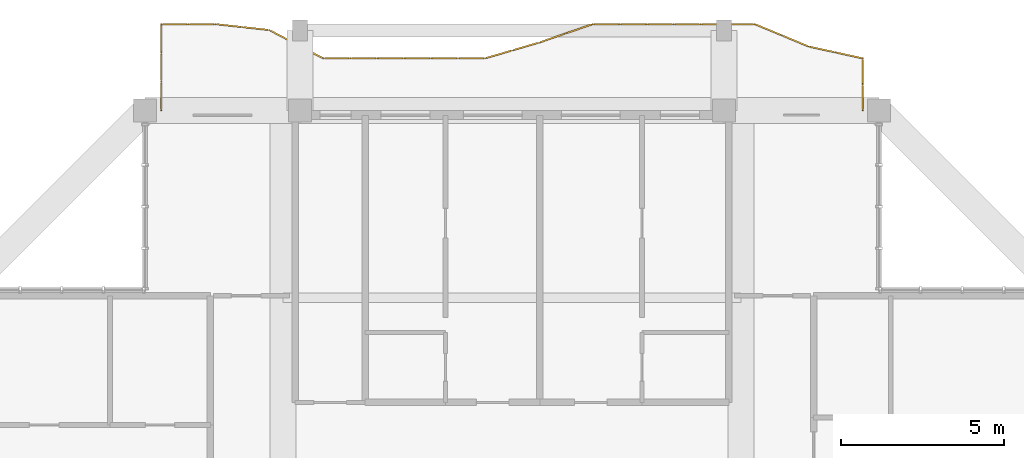
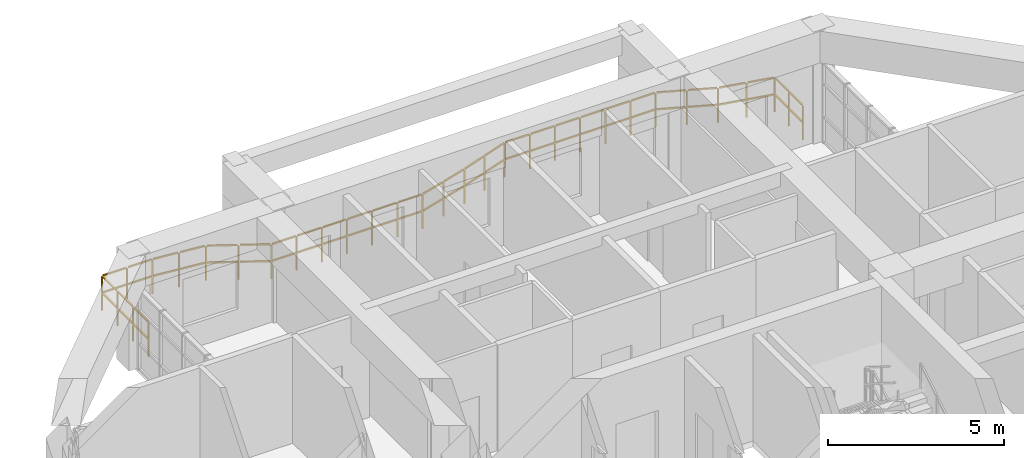
# One storey, part 27 of 27: 1 railing.
"""IFC4 building model written with IfcOpenShell, lengths in metres."""

from ifc_helpers import new_model, si_unit, direction, frame, origin, origin_2d, place, context, subcontext, project, spatial, rectangle, extrude, material, type_object, element, save


model = new_model("IFC4")

# Units and contexts
model_context = context("Model", 3, precision=1e-05, world=origin(), true_north=direction((0.0, 1.0)))
body_context = subcontext(model_context, "Body", "Model", "MODEL_VIEW")
ifc_project = project(units=[si_unit("LENGTHUNIT", "METRE"), si_unit("AREAUNIT", "SQUARE_METRE"), si_unit("VOLUMEUNIT", "CUBIC_METRE"), si_unit("PLANEANGLEUNIT", "RADIAN"), si_unit("MASSUNIT", "GRAM", prefix="KILO")], contexts=[model_context])

# Site, building, storey
site_placement = place(None, origin())
site = spatial("IfcSite", under=ifc_project, at=site_placement, CompositionType="ELEMENT")
building_placement = place(site_placement, origin())
building = spatial("IfcBuilding", under=site, at=building_placement, Name="Saelheon Loggia Tower", CompositionType="ELEMENT")
storey_placement = place(building_placement, frame((0.0, 0.0, 226.199951171875)))
storey = spatial("IfcBuildingStorey", under=building, at=storey_placement, Name="L70", CompositionType="ELEMENT", Elevation=226.199951171875)

# Railing
ifc_material = material(Name="Architectural Precast Concrete and Laminated Glass Guard", Category="concrete")
railing_type = type_object("IfcRailingType", Name="Guard_Loggia_RL_LOG", PredefinedType="BALUSTRADE", material=ifc_material)
railing_placement = place(storey_placement, frame((48.75, 48.0, 0.0)))
element("IfcRailing", 1, at=railing_placement, inside=storey, type_object=railing_type, Name="L70 North Loggia Balustrade", PredefinedType="BALUSTRADE", context=body_context, shape_type="SweptSolid", body=[
    extrude(rectangle(XDim=0.048095703125, YDim=0.048095703125, at=origin_2d()), frame((0.0, 0.033203125, 1.19580078125), z_axis=(0.0, 1.0, 0.0), x_axis=(-1.0, 0.0, 0.0)), (0.0, 0.0, 1.0), 0.733642578125),
    extrude(rectangle(XDim=0.048095703125, YDim=0.048095703125, at=origin_2d()), frame((0.0, 0.033203125, 0.60986328125), z_axis=(0.0, 1.0, 0.0), x_axis=(-1.0, 0.0, 0.0)), (0.0, 0.0, 1.0), 0.733642578125),
    extrude(rectangle(XDim=0.048095703125, YDim=0.048095703125, at=origin_2d()), frame((0.0, 0.833251953125, 1.19580078125), z_axis=(0.0, 1.0, 0.0), x_axis=(-1.0, 0.0, 0.0)), (0.0, 0.0, 1.0), 0.733642578125),
    extrude(rectangle(XDim=0.048095703125, YDim=0.048095703125, at=origin_2d()), frame((0.0, 0.833251953125, 0.60986328125), z_axis=(0.0, 1.0, 0.0), x_axis=(-1.0, 0.0, 0.0)), (0.0, 0.0, 1.0), 0.733642578125),
    extrude(rectangle(XDim=0.048095703125, YDim=0.048095703125, at=origin_2d()), frame((-0.032470703125, 1.607177734375, 1.19580078125), z_axis=(-0.976834118555, 0.213997908464, 0.0), x_axis=(-0.213997908464, -0.976834118555, 0.0)), (0.0, 0.0, 1.0), 0.780029296875),
    extrude(rectangle(XDim=0.048095703125, YDim=0.048095703125, at=origin_2d()), frame((-0.032470703125, 1.607177734375, 0.60986328125), z_axis=(-0.976834118555, 0.213997908464, 0.0), x_axis=(-0.213997908464, -0.976834118555, 0.0)), (0.0, 0.0, 1.0), 0.780029296875),
    extrude(rectangle(XDim=0.048095703125, YDim=0.048095703125, at=origin_2d()), frame((-0.859375, 1.788330078125, 1.19580078125), z_axis=(-0.976834118555, 0.213997908464, 0.0), x_axis=(-0.213997908464, -0.976834118555, 0.0)), (0.0, 0.0, 1.0), 0.780029296875),
    extrude(rectangle(XDim=0.048095703125, YDim=0.048095703125, at=origin_2d()), frame((-0.859375, 1.788330078125, 0.60986328125), z_axis=(-0.976834118555, 0.213997908464, 0.0), x_axis=(-0.213997908464, -0.976834118555, 0.0)), (0.0, 0.0, 1.0), 0.780029296875),
    extrude(rectangle(XDim=0.048095703125, YDim=0.048095703125, at=origin_2d()), frame((-1.6845703125, 1.97509765625, 1.19580078125), z_axis=(-0.923391185158, 0.383860286006, 0.0), x_axis=(-0.383860286006, -0.923391185158, 0.0)), (0.0, 0.0, 1.0), 0.8291015625),
    extrude(rectangle(XDim=0.048095703125, YDim=0.048095703125, at=origin_2d()), frame((-1.6845703125, 1.97509765625, 0.60986328125), z_axis=(-0.923391185158, 0.383860286006, 0.0), x_axis=(-0.383860286006, -0.923391185158, 0.0)), (0.0, 0.0, 1.0), 0.8291015625),
    extrude(rectangle(XDim=0.048095703125, YDim=0.048095703125, at=origin_2d()), frame((-2.511474609375, 2.31884765625, 1.19580078125), z_axis=(-0.923391185158, 0.383860286006, 0.0), x_axis=(-0.383860286006, -0.923391185158, 0.0)), (0.0, 0.0, 1.0), 0.8291015625),
    extrude(rectangle(XDim=0.048095703125, YDim=0.048095703125, at=origin_2d()), frame((-2.511474609375, 2.31884765625, 0.60986328125), z_axis=(-0.923391185158, 0.383860286006, 0.0), x_axis=(-0.383860286006, -0.923391185158, 0.0)), (0.0, 0.0, 1.0), 0.8291015625),
    extrude(rectangle(XDim=0.048095703125, YDim=0.048095703125, at=origin_2d()), frame((-3.3408203125, 2.64990234375, 1.19580078125), z_axis=(-1.0, 0.0, 0.0), x_axis=(0.0, -1.0, 0.0)), (0.0, 0.0, 1.0), 0.760498046875),
    extrude(rectangle(XDim=0.048095703125, YDim=0.048095703125, at=origin_2d()), frame((-3.3408203125, 2.64990234375, 0.60986328125), z_axis=(-1.0, 0.0, 0.0), x_axis=(0.0, -1.0, 0.0)), (0.0, 0.0, 1.0), 0.760498046875),
    extrude(rectangle(XDim=0.048095703125, YDim=0.048095703125, at=origin_2d()), frame((-4.167724609375, 2.64990234375, 1.19580078125), z_axis=(-1.0, 0.0, 0.0), x_axis=(0.0, -1.0, 0.0)), (0.0, 0.0, 1.0), 0.760498046875),
    extrude(rectangle(XDim=0.048095703125, YDim=0.048095703125, at=origin_2d()), frame((-4.167724609375, 2.64990234375, 0.60986328125), z_axis=(-1.0, 0.0, 0.0), x_axis=(0.0, -1.0, 0.0)), (0.0, 0.0, 1.0), 0.760498046875),
    extrude(rectangle(XDim=0.048095703125, YDim=0.048095703125, at=origin_2d()), frame((-4.99462890625, 2.64990234375, 1.19580078125), z_axis=(-1.0, 0.0, 0.0), x_axis=(0.0, -1.0, 0.0)), (0.0, 0.0, 1.0), 0.760498046875),
    extrude(rectangle(XDim=0.048095703125, YDim=0.048095703125, at=origin_2d()), frame((-4.99462890625, 2.64990234375, 0.60986328125), z_axis=(-1.0, 0.0, 0.0), x_axis=(0.0, -1.0, 0.0)), (0.0, 0.0, 1.0), 0.760498046875),
    extrude(rectangle(XDim=0.048095703125, YDim=0.048095703125, at=origin_2d()), frame((-5.82177734375, 2.64990234375, 1.19580078125), z_axis=(-1.0, 0.0, 0.0), x_axis=(0.0, -1.0, 0.0)), (0.0, 0.0, 1.0), 0.760498046875),
    extrude(rectangle(XDim=0.048095703125, YDim=0.048095703125, at=origin_2d()), frame((-5.82177734375, 2.64990234375, 0.60986328125), z_axis=(-1.0, 0.0, 0.0), x_axis=(0.0, -1.0, 0.0)), (0.0, 0.0, 1.0), 0.760498046875),
    extrude(rectangle(XDim=0.048095703125, YDim=0.048095703125, at=origin_2d()), frame((-6.648681640625, 2.64990234375, 1.19580078125), z_axis=(-1.0, 0.0, 0.0), x_axis=(0.0, -1.0, 0.0)), (0.0, 0.0, 1.0), 0.760498046875),
    extrude(rectangle(XDim=0.048095703125, YDim=0.048095703125, at=origin_2d()), frame((-6.648681640625, 2.64990234375, 0.60986328125), z_axis=(-1.0, 0.0, 0.0), x_axis=(0.0, -1.0, 0.0)), (0.0, 0.0, 1.0), 0.760498046875),
    extrude(rectangle(XDim=0.048095703125, YDim=0.048095703125, at=origin_2d()), frame((-7.4755859375, 2.64990234375, 1.19580078125), z_axis=(-1.0, 0.0, 0.0), x_axis=(0.0, -1.0, 0.0)), (0.0, 0.0, 1.0), 0.760498046875),
    extrude(rectangle(XDim=0.048095703125, YDim=0.048095703125, at=origin_2d()), frame((-7.4755859375, 2.64990234375, 0.60986328125), z_axis=(-1.0, 0.0, 0.0), x_axis=(0.0, -1.0, 0.0)), (0.0, 0.0, 1.0), 0.760498046875),
    extrude(rectangle(XDim=0.048095703125, YDim=0.048095703125, at=origin_2d()), frame((-8.30078125, 2.63916015625, 1.19580078125), z_axis=(-0.945967977164, -0.324260059489, 0.0), x_axis=(0.324260059489, -0.945967977164, 0.0)), (0.0, 0.0, 1.0), 0.8076171875),
    extrude(rectangle(XDim=0.048095703125, YDim=0.048095703125, at=origin_2d()), frame((-8.30078125, 2.63916015625, 0.60986328125), z_axis=(-0.945967977164, -0.324260059489, 0.0), x_axis=(0.324260059489, -0.945967977164, 0.0)), (0.0, 0.0, 1.0), 0.8076171875),
    extrude(rectangle(XDim=0.048095703125, YDim=0.048095703125, at=origin_2d()), frame((-9.127685546875, 2.355712890625, 1.19580078125), z_axis=(-0.945967977164, -0.324260059489, 0.0), x_axis=(0.324260059489, -0.945967977164, 0.0)), (0.0, 0.0, 1.0), 0.8076171875),
    extrude(rectangle(XDim=0.048095703125, YDim=0.048095703125, at=origin_2d()), frame((-9.127685546875, 2.355712890625, 0.60986328125), z_axis=(-0.945967977164, -0.324260059489, 0.0), x_axis=(0.324260059489, -0.945967977164, 0.0)), (0.0, 0.0, 1.0), 0.8076171875),
    extrude(rectangle(XDim=0.048095703125, YDim=0.048095703125, at=origin_2d()), frame((-9.955078125, 2.07373046875, 1.19580078125), z_axis=(-0.959914251437, -0.280293827774, 0.0), x_axis=(0.280293827774, -0.959914251437, 0.0)), (0.0, 0.0, 1.0), 0.794921875),
    extrude(rectangle(XDim=0.048095703125, YDim=0.048095703125, at=origin_2d()), frame((-9.955078125, 2.07373046875, 0.60986328125), z_axis=(-0.959914251437, -0.280293827774, 0.0), x_axis=(0.280293827774, -0.959914251437, 0.0)), (0.0, 0.0, 1.0), 0.794921875),
    extrude(rectangle(XDim=0.048095703125, YDim=0.048095703125, at=origin_2d()), frame((-10.781982421875, 1.832275390625, 1.19580078125), z_axis=(-0.959914251437, -0.280293827774, 0.0), x_axis=(0.280293827774, -0.959914251437, 0.0)), (0.0, 0.0, 1.0), 0.794921875),
    extrude(rectangle(XDim=0.048095703125, YDim=0.048095703125, at=origin_2d()), frame((-10.781982421875, 1.832275390625, 0.60986328125), z_axis=(-0.959914251437, -0.280293827774, 0.0), x_axis=(0.280293827774, -0.959914251437, 0.0)), (0.0, 0.0, 1.0), 0.794921875),
    extrude(rectangle(XDim=0.048095703125, YDim=0.048095703125, at=origin_2d()), frame((-11.610107421875, 1.60009765625, 1.19580078125), z_axis=(-1.0, 0.0, 0.0), x_axis=(0.0, -1.0, 0.0)), (0.0, 0.0, 1.0), 0.760498046875),
    extrude(rectangle(XDim=0.048095703125, YDim=0.048095703125, at=origin_2d()), frame((-11.610107421875, 1.60009765625, 0.60986328125), z_axis=(-1.0, 0.0, 0.0), x_axis=(0.0, -1.0, 0.0)), (0.0, 0.0, 1.0), 0.760498046875),
    extrude(rectangle(XDim=0.048095703125, YDim=0.048095703125, at=origin_2d()), frame((-12.43701171875, 1.60009765625, 1.19580078125), z_axis=(-1.0, 0.0, 0.0), x_axis=(0.0, -1.0, 0.0)), (0.0, 0.0, 1.0), 0.760498046875),
    extrude(rectangle(XDim=0.048095703125, YDim=0.048095703125, at=origin_2d()), frame((-12.43701171875, 1.60009765625, 0.60986328125), z_axis=(-1.0, 0.0, 0.0), x_axis=(0.0, -1.0, 0.0)), (0.0, 0.0, 1.0), 0.760498046875),
    extrude(rectangle(XDim=0.048095703125, YDim=0.048095703125, at=origin_2d()), frame((-13.263916015625, 1.60009765625, 1.19580078125), z_axis=(-1.0, 0.0, 0.0), x_axis=(0.0, -1.0, 0.0)), (0.0, 0.0, 1.0), 0.760498046875),
    extrude(rectangle(XDim=0.048095703125, YDim=0.048095703125, at=origin_2d()), frame((-13.263916015625, 1.60009765625, 0.60986328125), z_axis=(-1.0, 0.0, 0.0), x_axis=(0.0, -1.0, 0.0)), (0.0, 0.0, 1.0), 0.760498046875),
    extrude(rectangle(XDim=0.048095703125, YDim=0.048095703125, at=origin_2d()), frame((-14.0908203125, 1.60009765625, 1.19580078125), z_axis=(-1.0, 0.0, 0.0), x_axis=(0.0, -1.0, 0.0)), (0.0, 0.0, 1.0), 0.760498046875),
    extrude(rectangle(XDim=0.048095703125, YDim=0.048095703125, at=origin_2d()), frame((-14.0908203125, 1.60009765625, 0.60986328125), z_axis=(-1.0, 0.0, 0.0), x_axis=(0.0, -1.0, 0.0)), (0.0, 0.0, 1.0), 0.760498046875),
    extrude(rectangle(XDim=0.048095703125, YDim=0.048095703125, at=origin_2d()), frame((-14.917724609375, 1.60009765625, 1.19580078125), z_axis=(-1.0, 0.0, 0.0), x_axis=(0.0, -1.0, 0.0)), (0.0, 0.0, 1.0), 0.760498046875),
    extrude(rectangle(XDim=0.048095703125, YDim=0.048095703125, at=origin_2d()), frame((-14.917724609375, 1.60009765625, 0.60986328125), z_axis=(-1.0, 0.0, 0.0), x_axis=(0.0, -1.0, 0.0)), (0.0, 0.0, 1.0), 0.760498046875),
    extrude(rectangle(XDim=0.048095703125, YDim=0.048095703125, at=origin_2d()), frame((-15.744873046875, 1.60009765625, 1.19580078125), z_axis=(-1.0, 0.0, 0.0), x_axis=(0.0, -1.0, 0.0)), (0.0, 0.0, 1.0), 0.760498046875),
    extrude(rectangle(XDim=0.048095703125, YDim=0.048095703125, at=origin_2d()), frame((-15.744873046875, 1.60009765625, 0.60986328125), z_axis=(-1.0, 0.0, 0.0), x_axis=(0.0, -1.0, 0.0)), (0.0, 0.0, 1.0), 0.760498046875),
    extrude(rectangle(XDim=0.048095703125, YDim=0.048095703125, at=origin_2d()), frame((-16.568115234375, 1.615478515625, 1.19580078125), z_axis=(-0.885255331469, 0.465105362371, 0.0), x_axis=(-0.465105362371, -0.885255331469, 0.0)), (0.0, 0.0, 1.0), 0.86767578125),
    extrude(rectangle(XDim=0.048095703125, YDim=0.048095703125, at=origin_2d()), frame((-16.568115234375, 1.615478515625, 0.60986328125), z_axis=(-0.885255331469, 0.465105362371, 0.0), x_axis=(-0.465105362371, -0.885255331469, 0.0)), (0.0, 0.0, 1.0), 0.86767578125),
    extrude(rectangle(XDim=0.048095703125, YDim=0.048095703125, at=origin_2d()), frame((-17.39501953125, 2.050048828125, 1.19580078125), z_axis=(-0.885255331469, 0.465105362371, 0.0), x_axis=(-0.465105362371, -0.885255331469, 0.0)), (0.0, 0.0, 1.0), 0.86767578125),
    extrude(rectangle(XDim=0.048095703125, YDim=0.048095703125, at=origin_2d()), frame((-17.39501953125, 2.050048828125, 0.60986328125), z_axis=(-0.885255331469, 0.465105362371, 0.0), x_axis=(-0.465105362371, -0.885255331469, 0.0)), (0.0, 0.0, 1.0), 0.86767578125),
    extrude(rectangle(XDim=0.048095703125, YDim=0.048095703125, at=origin_2d()), frame((-18.225341796875, 2.47265625, 1.19580078125), z_axis=(-0.994070204711, 0.108740186255, 0.0), x_axis=(-0.108740186255, -0.994070204711, 0.0)), (0.0, 0.0, 1.0), 0.765380859375),
    extrude(rectangle(XDim=0.048095703125, YDim=0.048095703125, at=origin_2d()), frame((-18.225341796875, 2.47265625, 0.60986328125), z_axis=(-0.994070204711, 0.108740186255, 0.0), x_axis=(-0.108740186255, -0.994070204711, 0.0)), (0.0, 0.0, 1.0), 0.765380859375),
    extrude(rectangle(XDim=0.048095703125, YDim=0.048095703125, at=origin_2d()), frame((-19.05224609375, 2.56298828125, 1.19580078125), z_axis=(-0.994070204711, 0.108740186255, 0.0), x_axis=(-0.108740186255, -0.994070204711, 0.0)), (0.0, 0.0, 1.0), 0.765380859375),
    extrude(rectangle(XDim=0.048095703125, YDim=0.048095703125, at=origin_2d()), frame((-19.05224609375, 2.56298828125, 0.60986328125), z_axis=(-0.994070204711, 0.108740186255, 0.0), x_axis=(-0.108740186255, -0.994070204711, 0.0)), (0.0, 0.0, 1.0), 0.765380859375),
    extrude(rectangle(XDim=0.048095703125, YDim=0.048095703125, at=origin_2d()), frame((-19.87939453125, 2.64990234375, 1.19580078125), z_axis=(-1.0, 0.0, 0.0), x_axis=(0.0, -1.0, 0.0)), (0.0, 0.0, 1.0), 0.760498046875),
    extrude(rectangle(XDim=0.048095703125, YDim=0.048095703125, at=origin_2d()), frame((-19.87939453125, 2.64990234375, 0.60986328125), z_axis=(-1.0, 0.0, 0.0), x_axis=(0.0, -1.0, 0.0)), (0.0, 0.0, 1.0), 0.760498046875),
    extrude(rectangle(XDim=0.048095703125, YDim=0.048095703125, at=origin_2d()), frame((-20.706298828125, 2.64990234375, 1.19580078125), z_axis=(-1.0, 0.0, 0.0), x_axis=(0.0, -1.0, 0.0)), (0.0, 0.0, 1.0), 0.760498046875),
    extrude(rectangle(XDim=0.048095703125, YDim=0.048095703125, at=origin_2d()), frame((-20.706298828125, 2.64990234375, 0.60986328125), z_axis=(-1.0, 0.0, 0.0), x_axis=(0.0, -1.0, 0.0)), (0.0, 0.0, 1.0), 0.760498046875),
    extrude(rectangle(XDim=0.048095703125, YDim=0.048095703125, at=origin_2d()), frame((-21.5, 2.61669921875, 1.19580078125), z_axis=(0.0, -1.0, 0.0), x_axis=(1.0, 0.0, 0.0)), (0.0, 0.0, 1.0), 0.81689453125),
    extrude(rectangle(XDim=0.048095703125, YDim=0.048095703125, at=origin_2d()), frame((-21.5, 2.61669921875, 0.60986328125), z_axis=(0.0, -1.0, 0.0), x_axis=(1.0, 0.0, 0.0)), (0.0, 0.0, 1.0), 0.81689453125),
    extrude(rectangle(XDim=0.048095703125, YDim=0.048095703125, at=origin_2d()), frame((-21.5, 1.7333984375, 1.19580078125), z_axis=(0.0, -1.0, 0.0), x_axis=(1.0, 0.0, 0.0)), (0.0, 0.0, 1.0), 0.81689453125),
    extrude(rectangle(XDim=0.048095703125, YDim=0.048095703125, at=origin_2d()), frame((-21.5, 1.7333984375, 0.60986328125), z_axis=(0.0, -1.0, 0.0), x_axis=(1.0, 0.0, 0.0)), (0.0, 0.0, 1.0), 0.81689453125),
    extrude(rectangle(XDim=0.048095703125, YDim=0.048095703125, at=origin_2d()), frame((-21.5, 0.85009765625, 1.19580078125), z_axis=(0.0, -1.0, 0.0), x_axis=(1.0, 0.0, 0.0)), (0.0, 0.0, 1.0), 0.81689453125),
    extrude(rectangle(XDim=0.048095703125, YDim=0.048095703125, at=origin_2d()), frame((-21.5, 0.85009765625, 0.60986328125), z_axis=(0.0, -1.0, 0.0), x_axis=(1.0, 0.0, 0.0)), (0.0, 0.0, 1.0), 0.81689453125),
    extrude(rectangle(XDim=0.0419921875, YDim=0.0419921875, at=origin_2d()), origin(), (0.0, 0.0, 1.0), 1.16796875),
    extrude(rectangle(XDim=0.0419921875, YDim=0.0419921875, at=origin_2d()), frame((0.0, 0.800048828125, 0.0)), (0.0, 0.0, 1.0), 1.16796875),
    extrude(rectangle(XDim=0.0419921875, YDim=0.0419921875, at=origin_2d()), frame((0.0, 1.60009765625, 0.0)), (0.0, 0.0, 1.0), 1.16796875),
    extrude(rectangle(XDim=0.0419921875, YDim=0.0419921875, at=origin_2d()), frame((-0.826904296875, 1.78125, 0.0)), (0.0, 0.0, 1.0), 1.16796875),
    extrude(rectangle(XDim=0.0419921875, YDim=0.0419921875, at=origin_2d()), frame((-1.65380859375, 1.96240234375, 0.0)), (0.0, 0.0, 1.0), 1.16796875),
    extrude(rectangle(XDim=0.0419921875, YDim=0.0419921875, at=origin_2d()), frame((-2.480712890625, 2.30615234375, 0.0)), (0.0, 0.0, 1.0), 1.16796875),
    extrude(rectangle(XDim=0.0419921875, YDim=0.0419921875, at=origin_2d()), frame((-3.3076171875, 2.64990234375, 0.0)), (0.0, 0.0, 1.0), 1.16796875),
    extrude(rectangle(XDim=0.0419921875, YDim=0.0419921875, at=origin_2d()), frame((-4.134521484375, 2.64990234375, 0.0)), (0.0, 0.0, 1.0), 1.16796875),
    extrude(rectangle(XDim=0.0419921875, YDim=0.0419921875, at=origin_2d()), frame((-4.96142578125, 2.64990234375, 0.0)), (0.0, 0.0, 1.0), 1.16796875),
    extrude(rectangle(XDim=0.0419921875, YDim=0.0419921875, at=origin_2d()), frame((-5.78857421875, 2.64990234375, 0.0)), (0.0, 0.0, 1.0), 1.16796875),
    extrude(rectangle(XDim=0.0419921875, YDim=0.0419921875, at=origin_2d()), frame((-6.615478515625, 2.64990234375, 0.0)), (0.0, 0.0, 1.0), 1.16796875),
    extrude(rectangle(XDim=0.0419921875, YDim=0.0419921875, at=origin_2d()), frame((-7.4423828125, 2.64990234375, 0.0)), (0.0, 0.0, 1.0), 1.16796875),
    extrude(rectangle(XDim=0.0419921875, YDim=0.0419921875, at=origin_2d()), frame((-8.269287109375, 2.64990234375, 0.0)), (0.0, 0.0, 1.0), 1.16796875),
    extrude(rectangle(XDim=0.0419921875, YDim=0.0419921875, at=origin_2d()), frame((-9.09619140625, 2.366455078125, 0.0)), (0.0, 0.0, 1.0), 1.16796875),
    extrude(rectangle(XDim=0.0419921875, YDim=0.0419921875, at=origin_2d()), frame((-9.923095703125, 2.0830078125, 0.0)), (0.0, 0.0, 1.0), 1.16796875),
    extrude(rectangle(XDim=0.0419921875, YDim=0.0419921875, at=origin_2d()), frame((-10.75, 1.841552734375, 0.0)), (0.0, 0.0, 1.0), 1.16796875),
    extrude(rectangle(XDim=0.0419921875, YDim=0.0419921875, at=origin_2d()), frame((-11.576904296875, 1.60009765625, 0.0)), (0.0, 0.0, 1.0), 1.16796875),
    extrude(rectangle(XDim=0.0419921875, YDim=0.0419921875, at=origin_2d()), frame((-12.40380859375, 1.60009765625, 0.0)), (0.0, 0.0, 1.0), 1.16796875),
    extrude(rectangle(XDim=0.0419921875, YDim=0.0419921875, at=origin_2d()), frame((-13.230712890625, 1.60009765625, 0.0)), (0.0, 0.0, 1.0), 1.16796875),
    extrude(rectangle(XDim=0.0419921875, YDim=0.0419921875, at=origin_2d()), frame((-14.0576171875, 1.60009765625, 0.0)), (0.0, 0.0, 1.0), 1.16796875),
    extrude(rectangle(XDim=0.0419921875, YDim=0.0419921875, at=origin_2d()), frame((-14.884521484375, 1.60009765625, 0.0)), (0.0, 0.0, 1.0), 1.16796875),
    extrude(rectangle(XDim=0.0419921875, YDim=0.0419921875, at=origin_2d()), frame((-15.71142578125, 1.60009765625, 0.0)), (0.0, 0.0, 1.0), 1.16796875),
    extrude(rectangle(XDim=0.0419921875, YDim=0.0419921875, at=origin_2d()), frame((-16.53857421875, 1.60009765625, 0.0)), (0.0, 0.0, 1.0), 1.16796875),
    extrude(rectangle(XDim=0.0419921875, YDim=0.0419921875, at=origin_2d()), frame((-17.365478515625, 2.03466796875, 0.0)), (0.0, 0.0, 1.0), 1.16796875),
    extrude(rectangle(XDim=0.0419921875, YDim=0.0419921875, at=origin_2d()), frame((-18.1923828125, 2.468994140625, 0.0)), (0.0, 0.0, 1.0), 1.16796875),
    extrude(rectangle(XDim=0.0419921875, YDim=0.0419921875, at=origin_2d()), frame((-19.019287109375, 2.5595703125, 0.0)), (0.0, 0.0, 1.0), 1.16796875),
    extrude(rectangle(XDim=0.0419921875, YDim=0.0419921875, at=origin_2d()), frame((-19.84619140625, 2.64990234375, 0.0)), (0.0, 0.0, 1.0), 1.16796875),
    extrude(rectangle(XDim=0.0419921875, YDim=0.0419921875, at=origin_2d()), frame((-20.673095703125, 2.64990234375, 0.0)), (0.0, 0.0, 1.0), 1.16796875),
    extrude(rectangle(XDim=0.0419921875, YDim=0.0419921875, at=origin_2d()), frame((-21.5, 2.64990234375, 0.0)), (0.0, 0.0, 1.0), 1.16796875),
    extrude(rectangle(XDim=0.0419921875, YDim=0.0419921875, at=origin_2d()), frame((-21.5, 1.7666015625, 0.0)), (0.0, 0.0, 1.0), 1.16796875),
    extrude(rectangle(XDim=0.0419921875, YDim=0.0419921875, at=origin_2d()), frame((-21.5, 0.88330078125, 0.0)), (0.0, 0.0, 1.0), 1.16796875),
    extrude(rectangle(XDim=0.0419921875, YDim=0.0419921875, at=origin_2d()), frame((-21.5, 0.0, 0.0)), (0.0, 0.0, 1.0), 1.16796875),
])

save(model, "model.ifc")
